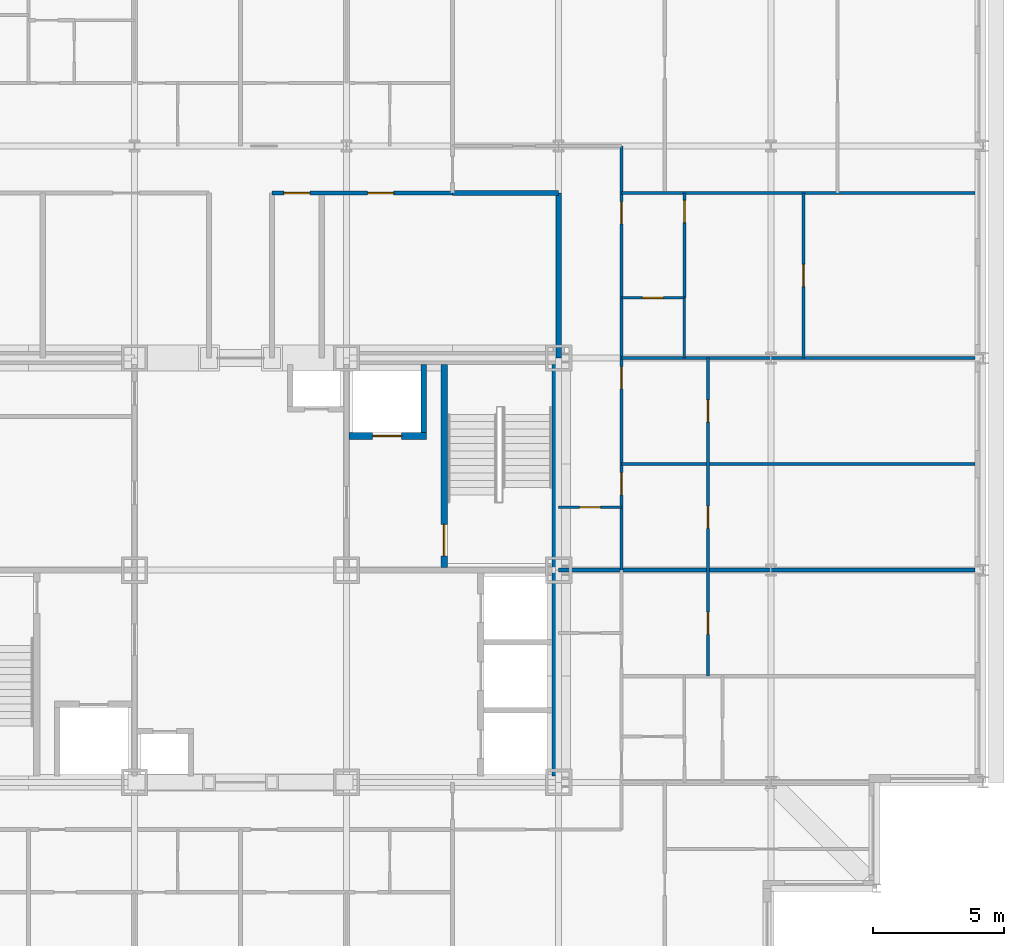
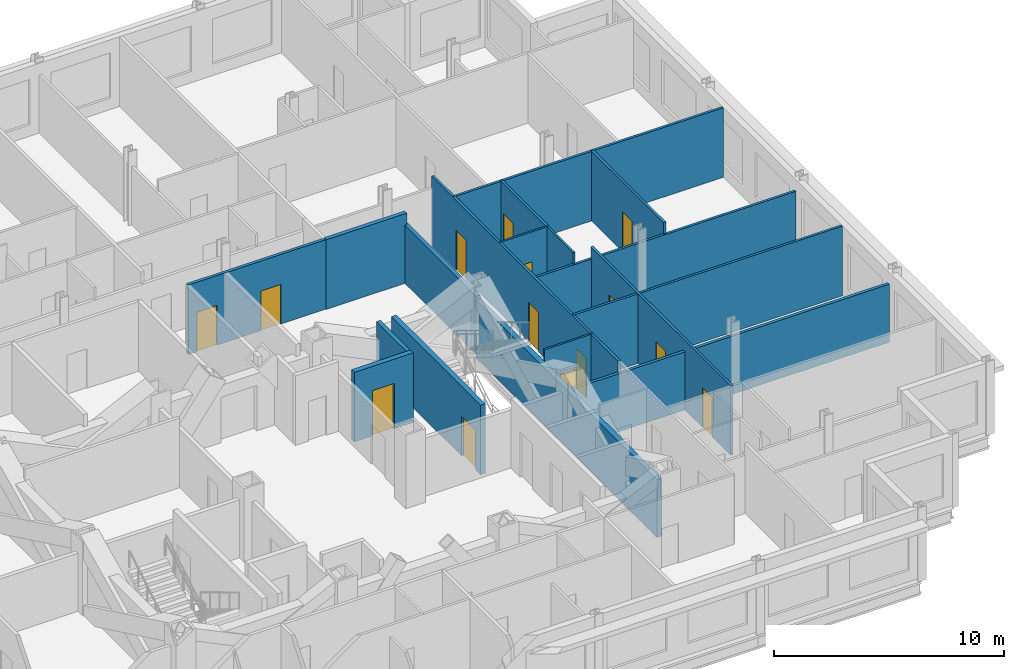
# One storey, part 11 of 16: 18 walls, 14 doors, 14 openings.
"""IFC4 building model written with IfcOpenShell, lengths in metres."""

from ifc_helpers import new_model, si_unit, direction, frame, frame_2d, origin, place, context, subcontext, project, spatial, rectangle, extrude, material, layer, layer_set, type_object, element, fill, save


model = new_model("IFC4")

# Units and contexts
model_context = context("Model", 3, precision=1e-05, world=origin(), true_north=direction((0.0, 1.0)))
body_context = subcontext(model_context, "Body", "Model", "MODEL_VIEW")
ifc_project = project(units=[si_unit("LENGTHUNIT", "METRE"), si_unit("AREAUNIT", "SQUARE_METRE"), si_unit("VOLUMEUNIT", "CUBIC_METRE"), si_unit("PLANEANGLEUNIT", "RADIAN"), si_unit("MASSUNIT", "GRAM", prefix="KILO")], contexts=[model_context])

# Site, building, storey
site_placement = place(None, origin())
site = spatial("IfcSite", under=ifc_project, at=site_placement, CompositionType="ELEMENT")
building_placement = place(site_placement, origin())
building = spatial("IfcBuilding", under=site, at=building_placement, Name="Kopane Lantern Tower", CompositionType="ELEMENT")
storey_placement = place(building_placement, frame((0.0, 0.0, 258.0)))
storey = spatial("IfcBuildingStorey", under=building, at=storey_placement, Name="L66", CompositionType="ELEMENT", Elevation=258.0)

# Wall, openings, doors
ifc_material_1 = material(Name="Gypsum board on steel studs", Category="steel")
ifc_layer_1 = layer(ifc_material_1, 0.1201171875)
ifc_layer_set_1 = layer_set([ifc_layer_1], Name="APARTMENT INTERNAL WALL 120")
wall_type_1 = type_object("IfcWallType", Name="APARTMENT INTERNAL WALL 120", PredefinedType="PARTITIONING", material=ifc_layer_set_1)
wall_1_placement = place(storey_placement, frame((42.89990234375, 48.60009765625, 0.0), z_axis=(0.0, 0.0, 1.0), x_axis=(0.0, -1.0, 0.0)))
wall_1 = element("IfcWall", 1, at=wall_1_placement, inside=storey, type_object=wall_type_1, Name="Apartment Internal Wall 120 L66", PredefinedType="PARTITIONING", context=body_context, shape_type="SweptSolid", body=[
    extrude(rectangle(XDim=16.2001953125, YDim=0.1201171875, at=frame_2d((8.10009765625, 0.0))), origin(), (0.0, 0.0, 1.0), 3.68994140625),
])
opening_1_placement = place(wall_1_placement, frame((2.125, 0.0, 0.0)))
opening_1 = element("IfcOpeningElement", 2, at=opening_1_placement, cuts=wall_1, Name="Opening L66-062", PredefinedType="OPENING", context=body_context, shape_type="SweptSolid", body=[
    extrude(rectangle(XDim=0.85009765625, YDim=2.10009765625, at=frame_2d((0.425048828125, 1.050048828125))), frame((0.0, 0.070068359375, 0.0), z_axis=(0.0, -1.0, 0.0), x_axis=(1.0, 0.0, 0.0)), (0.0, 0.0, 1.0), 0.14013671875),
])
opening_2_placement = place(wall_1_placement, frame((8.425048828125, 0.0, 0.0)))
opening_2 = element("IfcOpeningElement", 3, at=opening_2_placement, cuts=wall_1, Name="Opening L66-063", PredefinedType="OPENING", context=body_context, shape_type="SweptSolid", body=[
    extrude(rectangle(XDim=0.85009765625, YDim=2.10009765625, at=frame_2d((0.425048828125, 1.050048828125))), frame((0.0, 0.070068359375, 0.0), z_axis=(0.0, -1.0, 0.0), x_axis=(1.0, 0.0, 0.0)), (0.0, 0.0, 1.0), 0.14013671875),
])
opening_3_placement = place(wall_1_placement, frame((12.47509765625, 0.0, 0.0)))
opening_3 = element("IfcOpeningElement", 4, at=opening_3_placement, cuts=wall_1, Name="Opening L66-064", PredefinedType="OPENING", context=body_context, shape_type="SweptSolid", body=[
    extrude(rectangle(XDim=0.85009765625, YDim=2.10009765625, at=frame_2d((0.425048828125, 1.050048828125))), frame((0.0, 0.070068359375, 0.0), z_axis=(0.0, -1.0, 0.0), x_axis=(1.0, 0.0, 0.0)), (0.0, 0.0, 1.0), 0.14013671875),
])
ifc_material_2 = material(Name="Timber door set", Category="wood")
door_type_1 = type_object("IfcDoorType", Name="DOOR D4 850x2100", OperationType="SINGLE_SWING_LEFT", PredefinedType="DOOR", material=ifc_material_2)
door_1_placement = place(opening_1_placement, origin())
door_1 = element("IfcDoor", 5, at=door_1_placement, inside=storey, type_object=door_type_1, Name="Door L66-062", OperationType="SINGLE_SWING_LEFT", OverallHeight=2.10009765625, OverallWidth=0.85009765625, PredefinedType="DOOR", context=body_context, shape_type="SweptSolid", body=[
    extrude(rectangle(XDim=0.85009765625, YDim=2.10009765625, at=frame_2d((0.425048828125, 1.050048828125))), frame((0.0, 0.02490234375, 0.0), z_axis=(0.0, -1.0, 0.0), x_axis=(1.0, 0.0, 0.0)), (0.0, 0.0, 1.0), 0.050048828125),
])
fill(opening_1, door_1)
door_2_placement = place(opening_2_placement, origin())
door_2 = element("IfcDoor", 6, at=door_2_placement, inside=storey, type_object=door_type_1, Name="Door L66-063", OperationType="SINGLE_SWING_LEFT", OverallHeight=2.10009765625, OverallWidth=0.85009765625, PredefinedType="DOOR", context=body_context, shape_type="SweptSolid", body=[
    extrude(rectangle(XDim=0.85009765625, YDim=2.10009765625, at=frame_2d((0.425048828125, 1.050048828125))), frame((0.0, 0.02490234375, 0.0), z_axis=(0.0, -1.0, 0.0), x_axis=(1.0, 0.0, 0.0)), (0.0, 0.0, 1.0), 0.050048828125),
])
fill(opening_2, door_2)
door_3_placement = place(opening_3_placement, origin())
door_3 = element("IfcDoor", 7, at=door_3_placement, inside=storey, type_object=door_type_1, Name="Door L66-064", OperationType="SINGLE_SWING_LEFT", OverallHeight=2.10009765625, OverallWidth=0.85009765625, PredefinedType="DOOR", context=body_context, shape_type="SweptSolid", body=[
    extrude(rectangle(XDim=0.85009765625, YDim=2.10009765625, at=frame_2d((0.425048828125, 1.050048828125))), frame((0.0, 0.02490234375, 0.0), z_axis=(0.0, -1.0, 0.0), x_axis=(1.0, 0.0, 0.0)), (0.0, 0.0, 1.0), 0.050048828125),
])
fill(opening_3, door_3)

# Walls
wall_2_placement = place(storey_placement, frame((42.89990234375, 46.800048828125, 0.0), z_axis=(0.0, 0.0, 1.0), x_axis=(1.0, 0.0, 0.0)))
element("IfcWall", 8, at=wall_2_placement, inside=storey, type_object=wall_type_1, Name="Apartment Internal Wall 120 L66", PredefinedType="PARTITIONING", context=body_context, shape_type="SweptSolid", body=[
    extrude(rectangle(XDim=13.5, YDim=0.1201171875, at=frame_2d((6.75, 0.0))), origin(), (0.0, 0.0, 1.0), 3.68994140625),
])
wall_3_placement = place(storey_placement, frame((42.89990234375, 40.5, 0.0), z_axis=(0.0, 0.0, 1.0), x_axis=(1.0, 0.0, 0.0)))
element("IfcWall", 9, at=wall_3_placement, inside=storey, type_object=wall_type_1, Name="Apartment Internal Wall 120 L66", PredefinedType="PARTITIONING", context=body_context, shape_type="SweptSolid", body=[
    extrude(rectangle(XDim=13.5, YDim=0.1201171875, at=frame_2d((6.75, 0.0))), origin(), (0.0, 0.0, 1.0), 3.077880859375),
])
wall_4_placement = place(storey_placement, frame((42.89990234375, 36.449951171875, 0.0), z_axis=(0.0, 0.0, 1.0), x_axis=(1.0, 0.0, 0.0)))
element("IfcWall", 10, at=wall_4_placement, inside=storey, type_object=wall_type_1, Name="Apartment Internal Wall 120 L66", PredefinedType="PARTITIONING", context=body_context, shape_type="SweptSolid", body=[
    extrude(rectangle(XDim=13.5, YDim=0.1201171875, at=frame_2d((6.75, 0.0))), origin(), (0.0, 0.0, 1.0), 3.68994140625),
])

# Wall, opening, door
wall_5_placement = place(storey_placement, frame((45.300048828125, 46.800048828125, 0.0), z_axis=(0.0, 0.0, 1.0), x_axis=(0.0, -1.0, 0.0)))
wall_5 = element("IfcWall", 11, at=wall_5_placement, inside=storey, type_object=wall_type_1, Name="Apartment Internal Wall 120 L66", PredefinedType="PARTITIONING", context=body_context, shape_type="SweptSolid", body=[
    extrude(rectangle(XDim=4.010009765625, YDim=0.1201171875, at=frame_2d((2.0048828125, 0.0))), origin(), (0.0, 0.0, 1.0), 3.68994140625),
])
opening_4_placement = place(wall_5_placement, frame((0.27490234375, 0.0, 0.0)))
opening_4 = element("IfcOpeningElement", 12, at=opening_4_placement, cuts=wall_5, Name="Opening L66-070", PredefinedType="OPENING", context=body_context, shape_type="SweptSolid", body=[
    extrude(rectangle(XDim=0.85009765625, YDim=2.10009765625, at=frame_2d((0.425048828125, 1.050048828125))), frame((0.0, 0.070068359375, 0.0), z_axis=(0.0, -1.0, 0.0), x_axis=(1.0, 0.0, 0.0)), (0.0, 0.0, 1.0), 0.14013671875),
])
door_4_placement = place(opening_4_placement, origin())
door_4 = element("IfcDoor", 13, at=door_4_placement, inside=storey, type_object=door_type_1, Name="Door L66-070", OperationType="SINGLE_SWING_LEFT", OverallHeight=2.10009765625, OverallWidth=0.85009765625, PredefinedType="DOOR", context=body_context, shape_type="SweptSolid", body=[
    extrude(rectangle(XDim=0.85009765625, YDim=2.10009765625, at=frame_2d((0.425048828125, 1.050048828125))), frame((0.0, 0.02490234375, 0.0), z_axis=(0.0, -1.0, 0.0), x_axis=(1.0, 0.0, 0.0)), (0.0, 0.0, 1.0), 0.050048828125),
])
fill(opening_4, door_4)

# Wall, openings, doors
wall_6_placement = place(storey_placement, frame((46.199951171875, 28.35009765625, 0.0), z_axis=(0.0, 0.0, 1.0), x_axis=(0.0, 1.0, 0.0)))
wall_6 = element("IfcWall", 14, at=wall_6_placement, inside=storey, type_object=wall_type_1, Name="Apartment Internal Wall 120 L66", PredefinedType="PARTITIONING", context=body_context, shape_type="SweptSolid", body=[
    extrude(rectangle(XDim=12.14990234375, YDim=0.1201171875, at=frame_2d((6.074951171875, 0.0))), origin(), (0.0, 0.0, 1.0), 3.68994140625),
])
opening_5_placement = place(wall_6_placement, frame((1.60009765625, 0.0, 0.0)))
opening_5 = element("IfcOpeningElement", 15, at=opening_5_placement, cuts=wall_6, Name="Opening L66-078", PredefinedType="OPENING", context=body_context, shape_type="SweptSolid", body=[
    extrude(rectangle(XDim=0.85009765625, YDim=2.10009765625, at=frame_2d((0.425048828125, 1.050048828125))), frame((0.0, 0.070068359375, 0.0), z_axis=(0.0, -1.0, 0.0), x_axis=(1.0, 0.0, 0.0)), (0.0, 0.0, 1.0), 0.14013671875),
])
opening_6_placement = place(wall_6_placement, frame((9.699951171875, 0.0, 0.0)))
opening_6 = element("IfcOpeningElement", 16, at=opening_6_placement, cuts=wall_6, Name="Opening L66-082", PredefinedType="OPENING", context=body_context, shape_type="SweptSolid", body=[
    extrude(rectangle(XDim=0.85009765625, YDim=2.10009765625, at=frame_2d((0.425048828125, 1.050048828125))), frame((0.0, 0.070068359375, 0.0), z_axis=(0.0, -1.0, 0.0), x_axis=(1.0, 0.0, 0.0)), (0.0, 0.0, 1.0), 0.14013671875),
])
opening_7_placement = place(wall_6_placement, frame((5.64990234375, 0.0, 0.0)))
opening_7 = element("IfcOpeningElement", 17, at=opening_7_placement, cuts=wall_6, Name="Opening L66-083", PredefinedType="OPENING", context=body_context, shape_type="SweptSolid", body=[
    extrude(rectangle(XDim=0.85009765625, YDim=2.10009765625, at=frame_2d((0.425048828125, 1.050048828125))), frame((0.0, 0.070068359375, 0.0), z_axis=(0.0, -1.0, 0.0), x_axis=(1.0, 0.0, 0.0)), (0.0, 0.0, 1.0), 0.14013671875),
])
door_5_placement = place(opening_5_placement, origin())
door_5 = element("IfcDoor", 18, at=door_5_placement, inside=storey, type_object=door_type_1, Name="Door L66-078", OperationType="SINGLE_SWING_LEFT", OverallHeight=2.10009765625, OverallWidth=0.85009765625, PredefinedType="DOOR", context=body_context, shape_type="SweptSolid", body=[
    extrude(rectangle(XDim=0.85009765625, YDim=2.10009765625, at=frame_2d((0.425048828125, 1.050048828125))), frame((0.0, 0.02490234375, 0.0), z_axis=(0.0, -1.0, 0.0), x_axis=(1.0, 0.0, 0.0)), (0.0, 0.0, 1.0), 0.050048828125),
])
fill(opening_5, door_5)
door_6_placement = place(opening_6_placement, origin())
door_6 = element("IfcDoor", 19, at=door_6_placement, inside=storey, type_object=door_type_1, Name="Door L66-082", OperationType="SINGLE_SWING_LEFT", OverallHeight=2.10009765625, OverallWidth=0.85009765625, PredefinedType="DOOR", context=body_context, shape_type="SweptSolid", body=[
    extrude(rectangle(XDim=0.85009765625, YDim=2.10009765625, at=frame_2d((0.425048828125, 1.050048828125))), frame((0.0, 0.02490234375, 0.0), z_axis=(0.0, -1.0, 0.0), x_axis=(1.0, 0.0, 0.0)), (0.0, 0.0, 1.0), 0.050048828125),
])
fill(opening_6, door_6)
door_7_placement = place(opening_7_placement, origin())
door_7 = element("IfcDoor", 20, at=door_7_placement, inside=storey, type_object=door_type_1, Name="Door L66-083", OperationType="SINGLE_SWING_RIGHT", OverallHeight=2.10009765625, OverallWidth=0.85009765625, PredefinedType="DOOR", context=body_context, shape_type="SweptSolid", body=[
    extrude(rectangle(XDim=0.85009765625, YDim=2.10009765625, at=frame_2d((0.425048828125, 1.050048828125))), frame((0.0, 0.02490234375, 0.0), z_axis=(0.0, -1.0, 0.0), x_axis=(1.0, 0.0, 0.0)), (0.0, 0.0, 1.0), 0.050048828125),
])
fill(opening_7, door_7)

# Wall, opening, door
wall_7_placement = place(storey_placement, frame((49.85009765625, 40.5, 0.0), z_axis=(0.0, 0.0, 1.0), x_axis=(0.0, 1.0, 0.0)))
wall_7 = element("IfcWall", 21, at=wall_7_placement, inside=storey, type_object=wall_type_1, Name="Apartment Internal Wall 120 L66", PredefinedType="PARTITIONING", context=body_context, shape_type="SweptSolid", body=[
    extrude(rectangle(XDim=6.300048828125, YDim=0.1201171875, at=frame_2d((3.14990234375, 0.0))), origin(), (0.0, 0.0, 1.0), 3.68994140625),
])
opening_8_placement = place(wall_7_placement, frame((2.72509765625, 0.0, 0.0)))
opening_8 = element("IfcOpeningElement", 22, at=opening_8_placement, cuts=wall_7, Name="Opening L66-081", PredefinedType="OPENING", context=body_context, shape_type="SweptSolid", body=[
    extrude(rectangle(XDim=0.85009765625, YDim=2.10009765625, at=frame_2d((0.425048828125, 1.050048828125))), frame((0.0, 0.070068359375, 0.0), z_axis=(0.0, -1.0, 0.0), x_axis=(1.0, 0.0, 0.0)), (0.0, 0.0, 1.0), 0.14013671875),
])
door_8_placement = place(opening_8_placement, origin())
door_8 = element("IfcDoor", 23, at=door_8_placement, inside=storey, type_object=door_type_1, Name="Door L66-081", OperationType="SINGLE_SWING_LEFT", OverallHeight=2.10009765625, OverallWidth=0.85009765625, PredefinedType="DOOR", context=body_context, shape_type="SweptSolid", body=[
    extrude(rectangle(XDim=0.85009765625, YDim=2.10009765625, at=frame_2d((0.425048828125, 1.050048828125))), frame((0.0, 0.02490234375, 0.0), z_axis=(0.0, -1.0, 0.0), x_axis=(1.0, 0.0, 0.0)), (0.0, 0.0, 1.0), 0.050048828125),
])
fill(opening_8, door_8)

ifc_material_3 = material(Name="Moisture-resistant board on steel studs", Category="steel")
ifc_layer_2 = layer(ifc_material_3, 0.10009765625)
ifc_layer_set_2 = layer_set([ifc_layer_2], Name="BATHROOM WALL 100")
wall_type_2 = type_object("IfcWallType", Name="BATHROOM WALL 100", PredefinedType="PARTITIONING", material=ifc_layer_set_2)
wall_8_placement = place(storey_placement, frame((40.5, 34.800048828125, 0.0), z_axis=(0.0, 0.0, 1.0), x_axis=(1.0, 0.0, 0.0)))
wall_8 = element("IfcWall", 24, at=wall_8_placement, inside=storey, type_object=wall_type_2, Name="Bathroom Wall 100 L66", PredefinedType="PARTITIONING", context=body_context, shape_type="SweptSolid", body=[
    extrude(rectangle(XDim=2.39990234375, YDim=0.10009765625, at=frame_2d((1.199951171875, 0.0))), origin(), (0.0, 0.0, 1.0), 3.68994140625),
])
opening_9_placement = place(wall_8_placement, frame((0.800048828125, 0.0, 0.0)))
opening_9 = element("IfcOpeningElement", 25, at=opening_9_placement, cuts=wall_8, Name="Opening L66-056", PredefinedType="OPENING", context=body_context, shape_type="SweptSolid", body=[
    extrude(rectangle(XDim=0.800048828125, YDim=2.10009765625, at=frame_2d((0.39990234375, 1.050048828125))), frame((0.0, 0.06005859375, 0.0), z_axis=(0.0, -1.0, 0.0), x_axis=(1.0, 0.0, 0.0)), (0.0, 0.0, 1.0), 0.1201171875),
])
ifc_material_4 = material(Name="Timber door set", Category="wood")
door_type_2 = type_object("IfcDoorType", Name="DOOR D2 800x2100", OperationType="SINGLE_SWING_LEFT", PredefinedType="DOOR", material=ifc_material_4)
door_9_placement = place(opening_9_placement, origin())
door_9 = element("IfcDoor", 26, at=door_9_placement, inside=storey, type_object=door_type_2, Name="Door L66-056", OperationType="SINGLE_SWING_RIGHT", OverallHeight=2.10009765625, OverallWidth=0.800048828125, PredefinedType="DOOR", context=body_context, shape_type="SweptSolid", body=[
    extrude(rectangle(XDim=0.800048828125, YDim=2.10009765625, at=frame_2d((0.39990234375, 1.050048828125))), frame((0.0, 0.02490234375, 0.0), z_axis=(0.0, -1.0, 0.0), x_axis=(1.0, 0.0, 0.0)), (0.0, 0.0, 1.0), 0.050048828125),
])
fill(opening_9, door_9)

wall_9_placement = place(storey_placement, frame((42.89990234375, 42.800048828125, 0.0), z_axis=(0.0, 0.0, 1.0), x_axis=(1.0, 0.0, 0.0)))
wall_9 = element("IfcWall", 27, at=wall_9_placement, inside=storey, type_object=wall_type_2, Name="Bathroom Wall 100 L66", PredefinedType="PARTITIONING", context=body_context, shape_type="SweptSolid", body=[
    extrude(rectangle(XDim=2.400146484375, YDim=0.10009765625, at=frame_2d((1.2001953125, 0.0))), origin(), (0.0, 0.0, 1.0), 3.68994140625),
])
opening_10_placement = place(wall_9_placement, frame((0.800048828125, 0.0, 0.0)))
opening_10 = element("IfcOpeningElement", 28, at=opening_10_placement, cuts=wall_9, Name="Opening L66-061", PredefinedType="OPENING", context=body_context, shape_type="SweptSolid", body=[
    extrude(rectangle(XDim=0.800048828125, YDim=2.10009765625, at=frame_2d((0.39990234375, 1.050048828125))), frame((0.0, 0.06005859375, 0.0), z_axis=(0.0, -1.0, 0.0), x_axis=(1.0, 0.0, 0.0)), (0.0, 0.0, 1.0), 0.1201171875),
])
door_10_placement = place(opening_10_placement, origin())
door_10 = element("IfcDoor", 29, at=door_10_placement, inside=storey, type_object=door_type_2, Name="Door L66-061", OperationType="SINGLE_SWING_LEFT", OverallHeight=2.10009765625, OverallWidth=0.800048828125, PredefinedType="DOOR", context=body_context, shape_type="SweptSolid", body=[
    extrude(rectangle(XDim=0.800048828125, YDim=2.10009765625, at=frame_2d((0.39990234375, 1.050048828125))), frame((0.0, 0.02490234375, 0.0), z_axis=(0.0, -1.0, 0.0), x_axis=(1.0, 0.0, 0.0)), (0.0, 0.0, 1.0), 0.050048828125),
])
fill(opening_10, door_10)

# Walls
wall_10_placement = place(storey_placement, frame((45.300048828125, 42.800048828125, 0.0), z_axis=(0.0, 0.0, 1.0), x_axis=(0.0, -1.0, 0.0)))
element("IfcWall", 30, at=wall_10_placement, inside=storey, type_object=wall_type_2, Name="Bathroom Wall 100 L66", PredefinedType="PARTITIONING", context=body_context, shape_type="SweptSolid", body=[
    extrude(rectangle(XDim=2.300048828125, YDim=0.10009765625, at=frame_2d((1.14990234375, 0.0))), origin(), (0.0, 0.0, 1.0), 3.68994140625),
])
ifc_material_5 = material(Name="Gypsum shaft wall EI 120", Category="gypsum")
ifc_layer_3 = layer(ifc_material_5, 0.25)
ifc_layer_set_3 = layer_set([ifc_layer_3], Name="CORE SHAFT WALL 250 EI 120")
wall_type_3 = type_object("IfcWallType", Name="CORE SHAFT WALL 250 EI 120", PredefinedType="SOLIDWALL", material=ifc_layer_set_3)
wall_11_placement = place(storey_placement, frame((40.375, 24.550048828125, 0.0), z_axis=(0.0, 0.0, 1.0), x_axis=(0.0, 1.0, 0.0)))
element("IfcWall", 31, at=wall_11_placement, inside=storey, type_object=wall_type_3, Name="Core shaft wall L66 PE", PredefinedType="SOLIDWALL", context=body_context, shape_type="SweptSolid", body=[
    extrude(rectangle(XDim=15.699951171875, YDim=0.25, at=frame_2d((7.85009765625, 0.0))), origin(), (0.0, 0.0, 1.0), 3.077880859375),
])

# Wall, opening, door
wall_12_placement = place(storey_placement, frame((36.125, 32.5, 0.0), z_axis=(0.0, 0.0, 1.0), x_axis=(0.0, 1.0, 0.0)))
wall_12 = element("IfcWall", 32, at=wall_12_placement, inside=storey, type_object=wall_type_3, Name="Core shaft wall L66 XST2", PredefinedType="SOLIDWALL", context=body_context, shape_type="SweptSolid", body=[
    extrude(rectangle(XDim=7.75, YDim=0.25, at=frame_2d((3.875, 0.0))), origin(), (0.0, 0.0, 1.0), 3.68994140625),
])
opening_11_placement = place(wall_12_placement, frame((0.449951171875, 0.0, 0.0)))
opening_11 = element("IfcOpeningElement", 33, at=opening_11_placement, cuts=wall_12, Name="Opening 66.SD2", PredefinedType="OPENING", context=body_context, shape_type="SweptSolid", body=[
    extrude(rectangle(XDim=1.199951171875, YDim=2.10009765625, at=frame_2d((0.60009765625, 1.050048828125))), frame((0.0, 0.135009765625, 0.0), z_axis=(0.0, -1.0, 0.0), x_axis=(1.0, 0.0, 0.0)), (0.0, 0.0, 1.0), 0.27001953125),
])
ifc_material_6 = material(Name="Steel door set", Category="steel")
door_type_3 = type_object("IfcDoorType", Name="STAIR DOOR 1200x2100 FD60S", OperationType="SINGLE_SWING_LEFT", PredefinedType="DOOR", material=ifc_material_6)
door_11_placement = place(opening_11_placement, origin())
door_11 = element("IfcDoor", 34, at=door_11_placement, inside=storey, type_object=door_type_3, Name="Stair door ST2 L66", OperationType="SINGLE_SWING_RIGHT", OverallHeight=2.10009765625, OverallWidth=1.199951171875, PredefinedType="DOOR", context=body_context, shape_type="SweptSolid", body=[
    extrude(rectangle(XDim=1.199951171875, YDim=2.10009765625, at=frame_2d((0.60009765625, 1.050048828125))), frame((0.0, 0.02490234375, 0.0), z_axis=(0.0, -1.0, 0.0), x_axis=(1.0, 0.0, 0.0)), (0.0, 0.0, 1.0), 0.050048828125),
])
fill(opening_11, door_11)

wall_13_placement = place(storey_placement, frame((32.5, 37.52490234375, 0.0), z_axis=(0.0, 0.0, 1.0), x_axis=(1.0, 0.0, 0.0)))
wall_13 = element("IfcWall", 35, at=wall_13_placement, inside=storey, type_object=wall_type_3, Name="Core shaft wall L66 YLF2", PredefinedType="SOLIDWALL", context=body_context, shape_type="SweptSolid", body=[
    extrude(rectangle(XDim=2.949951171875, YDim=0.25, at=frame_2d((1.47509765625, 0.0))), origin(), (0.0, 0.0, 1.0), 3.68994140625),
])
opening_12_placement = place(wall_13_placement, frame((0.89990234375, 0.0, 0.0)))
opening_12 = element("IfcOpeningElement", 36, at=opening_12_placement, cuts=wall_13, Name="Opening 66.LD-LF2", PredefinedType="OPENING", context=body_context, shape_type="SweptSolid", body=[
    extrude(rectangle(XDim=1.10009765625, YDim=2.39990234375, at=frame_2d((0.550048828125, 1.199951171875))), frame((0.0, 0.135009765625, 0.0), z_axis=(0.0, -1.0, 0.0), x_axis=(1.0, 0.0, 0.0)), (0.0, 0.0, 1.0), 0.27001953125),
])
ifc_material_7 = material(Name="Steel door set", Category="steel")
door_type_4 = type_object("IfcDoorType", Name="LIFT LANDING DOOR 1100x2400 FD60", OperationType="DOUBLE_DOOR_SLIDING", PredefinedType="DOOR", material=ifc_material_7)
door_12_placement = place(opening_12_placement, origin())
door_12 = element("IfcDoor", 37, at=door_12_placement, inside=storey, type_object=door_type_4, Name="Landing door LF2 L66", OperationType="DOUBLE_DOOR_SLIDING", OverallHeight=2.39990234375, OverallWidth=1.10009765625, PredefinedType="DOOR", context=body_context, shape_type="SweptSolid", body=[
    extrude(rectangle(XDim=1.10009765625, YDim=2.39990234375, at=frame_2d((0.550048828125, 1.199951171875))), frame((0.0, 0.02490234375, 0.0), z_axis=(0.0, -1.0, 0.0), x_axis=(1.0, 0.0, 0.0)), (0.0, 0.0, 1.0), 0.050048828125),
])
fill(opening_12, door_12)

# Wall, openings, doors
ifc_material_8 = material(Name="Gypsum board on steel studs", Category="steel")
ifc_layer_4 = layer(ifc_material_8, 0.14990234375)
ifc_layer_set_4 = layer_set([ifc_layer_4], Name="CORRIDOR WALL 150 EI 60")
wall_type_4 = type_object("IfcWallType", Name="CORRIDOR WALL 150 EI 60", PredefinedType="PARTITIONING", material=ifc_layer_set_4)
wall_14_placement = place(storey_placement, frame((29.56005859375, 46.800048828125, 0.0), z_axis=(0.0, 0.0, 1.0), x_axis=(1.0, 0.0, 0.0)))
wall_14 = element("IfcWall", 38, at=wall_14_placement, inside=storey, type_object=wall_type_4, Name="Corridor Wall 150 Ei 60 L66", PredefinedType="PARTITIONING", context=body_context, shape_type="SweptSolid", body=[
    extrude(rectangle(XDim=6.889892578125, YDim=0.14990234375, at=frame_2d((3.44482421875, 0.0))), origin(), (0.0, 0.0, 1.0), 3.68994140625),
])
opening_13_placement = place(wall_14_placement, frame((0.4423828125, 0.0, 0.0)))
opening_13 = element("IfcOpeningElement", 39, at=opening_13_placement, cuts=wall_14, Name="Opening L66-007", PredefinedType="OPENING", context=body_context, shape_type="SweptSolid", body=[
    extrude(rectangle(XDim=1.0, YDim=2.10009765625, at=frame_2d((0.5, 1.050048828125))), frame((0.0, 0.0849609375, 0.0), z_axis=(0.0, -1.0, 0.0), x_axis=(1.0, 0.0, 0.0)), (0.0, 0.0, 1.0), 0.169921875),
])
opening_14_placement = place(wall_14_placement, frame((3.642333984375, 0.0, 0.0)))
opening_14 = element("IfcOpeningElement", 40, at=opening_14_placement, cuts=wall_14, Name="Opening L66-008", PredefinedType="OPENING", context=body_context, shape_type="SweptSolid", body=[
    extrude(rectangle(XDim=1.0, YDim=2.10009765625, at=frame_2d((0.5, 1.050048828125))), frame((0.0, 0.0849609375, 0.0), z_axis=(0.0, -1.0, 0.0), x_axis=(1.0, 0.0, 0.0)), (0.0, 0.0, 1.0), 0.169921875),
])
ifc_material_9 = material(Name="Steel door set", Category="steel")
door_type_5 = type_object("IfcDoorType", Name="DOOR D5 1000x2100 FD60", OperationType="SINGLE_SWING_LEFT", PredefinedType="DOOR", material=ifc_material_9)
door_13_placement = place(opening_13_placement, origin())
door_13 = element("IfcDoor", 41, at=door_13_placement, inside=storey, type_object=door_type_5, Name="Door L66-007", OperationType="SINGLE_SWING_RIGHT", OverallHeight=2.10009765625, OverallWidth=1.0, PredefinedType="DOOR", context=body_context, shape_type="SweptSolid", body=[
    extrude(rectangle(XDim=1.0, YDim=2.10009765625, at=frame_2d((0.5, 1.050048828125))), frame((0.0, 0.02490234375, 0.0), z_axis=(0.0, -1.0, 0.0), x_axis=(1.0, 0.0, 0.0)), (0.0, 0.0, 1.0), 0.050048828125),
])
fill(opening_13, door_13)
door_14_placement = place(opening_14_placement, origin())
door_14 = element("IfcDoor", 42, at=door_14_placement, inside=storey, type_object=door_type_5, Name="Door L66-008", OperationType="SINGLE_SWING_RIGHT", OverallHeight=2.10009765625, OverallWidth=1.0, PredefinedType="DOOR", context=body_context, shape_type="SweptSolid", body=[
    extrude(rectangle(XDim=1.0, YDim=2.10009765625, at=frame_2d((0.5, 1.050048828125))), frame((0.0, 0.02490234375, 0.0), z_axis=(0.0, -1.0, 0.0), x_axis=(1.0, 0.0, 0.0)), (0.0, 0.0, 1.0), 0.050048828125),
])
fill(opening_14, door_14)

# Walls
ifc_material_10 = material(Name="Gypsum board on steel studs", Category="steel")
ifc_layer_5 = layer(ifc_material_10, 0.14990234375)
ifc_layer_set_5 = layer_set([ifc_layer_5], Name="DEMISING WALL 150 EI 60")
wall_type_5 = type_object("IfcWallType", Name="DEMISING WALL 150 EI 60", PredefinedType="PARTITIONING", material=ifc_layer_set_5)
wall_15_placement = place(storey_placement, frame((40.5, 32.39990234375, 0.0), z_axis=(0.0, 0.0, 1.0), x_axis=(1.0, 0.0, 0.0)))
element("IfcWall", 43, at=wall_15_placement, inside=storey, type_object=wall_type_5, Name="Demising Wall 150 Ei 60 L66", PredefinedType="PARTITIONING", context=body_context, shape_type="SweptSolid", body=[
    extrude(rectangle(XDim=15.89990234375, YDim=0.14990234375, at=frame_2d((7.949951171875, 0.0))), origin(), (0.0, 0.0, 1.0), 3.077880859375),
])
ifc_material_11 = material(Name="Concrete masonry", Category="masonry")
ifc_layer_6 = layer(ifc_material_11, 0.199951171875)
ifc_layer_set_6 = layer_set([ifc_layer_6], Name="PLANT ROOM WALL 200 EI 120")
wall_type_6 = type_object("IfcWallType", Name="PLANT ROOM WALL 200 EI 120", PredefinedType="SOLIDWALL", material=ifc_layer_set_6)
wall_16_placement = place(storey_placement, frame((40.5, 40.5, 0.0), z_axis=(0.0, 0.0, 1.0), x_axis=(0.0, 1.0, 0.0)))
element("IfcWall", 44, at=wall_16_placement, inside=storey, type_object=wall_type_6, Name="Plant Room Wall 200 Ei 120 L66", PredefinedType="SOLIDWALL", context=body_context, shape_type="SweptSolid", body=[
    extrude(rectangle(XDim=6.300048828125, YDim=0.199951171875, at=frame_2d((3.14990234375, 0.0))), origin(), (0.0, 0.0, 1.0), 3.077880859375),
])
wall_17_placement = place(storey_placement, frame((36.449951171875, 46.800048828125, 0.0), z_axis=(0.0, 0.0, 1.0), x_axis=(1.0, 0.0, 0.0)))
element("IfcWall", 45, at=wall_17_placement, inside=storey, type_object=wall_type_6, Name="Plant Room Wall 200 Ei 120 L66", PredefinedType="SOLIDWALL", context=body_context, shape_type="SweptSolid", body=[
    extrude(rectangle(XDim=4.050048828125, YDim=0.199951171875, at=frame_2d((2.02490234375, 0.0))), origin(), (0.0, 0.0, 1.0), 3.68994140625),
])
ifc_material_12 = material(Name="Gypsum shaft wall EI 120", Category="gypsum")
ifc_layer_7 = layer(ifc_material_12, 0.199951171875)
ifc_layer_set_7 = layer_set([ifc_layer_7], Name="SHAFT WALL 200 EI 120")
wall_type_7 = type_object("IfcWallType", Name="SHAFT WALL 200 EI 120", PredefinedType="SOLIDWALL", material=ifc_layer_set_7)
wall_18_placement = place(storey_placement, frame((35.35009765625, 37.64990234375, 0.0), z_axis=(0.0, 0.0, 1.0), x_axis=(0.0, 1.0, 0.0)))
element("IfcWall", 46, at=wall_18_placement, inside=storey, type_object=wall_type_7, Name="Core shaft wall L66 XLF2", PredefinedType="SOLIDWALL", context=body_context, shape_type="SweptSolid", body=[
    extrude(rectangle(XDim=2.60009765625, YDim=0.199951171875, at=frame_2d((1.300048828125, 0.0))), origin(), (0.0, 0.0, 1.0), 3.68994140625),
])

save(model, "model.ifc")
